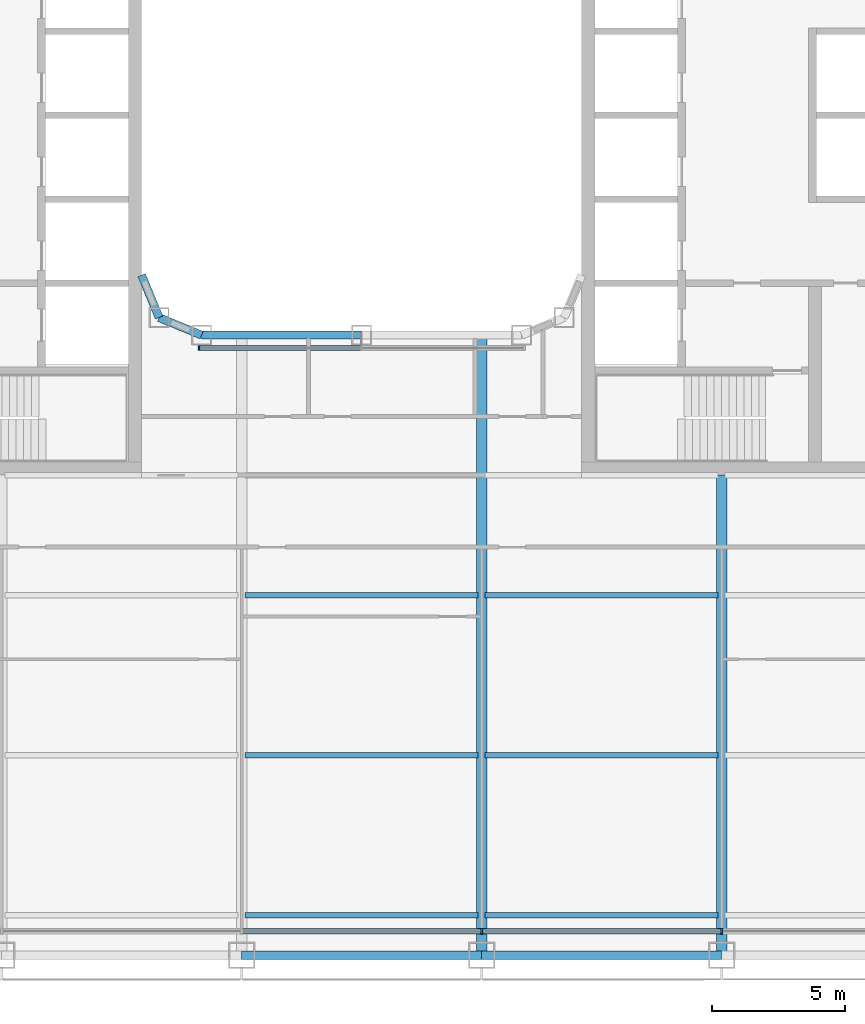
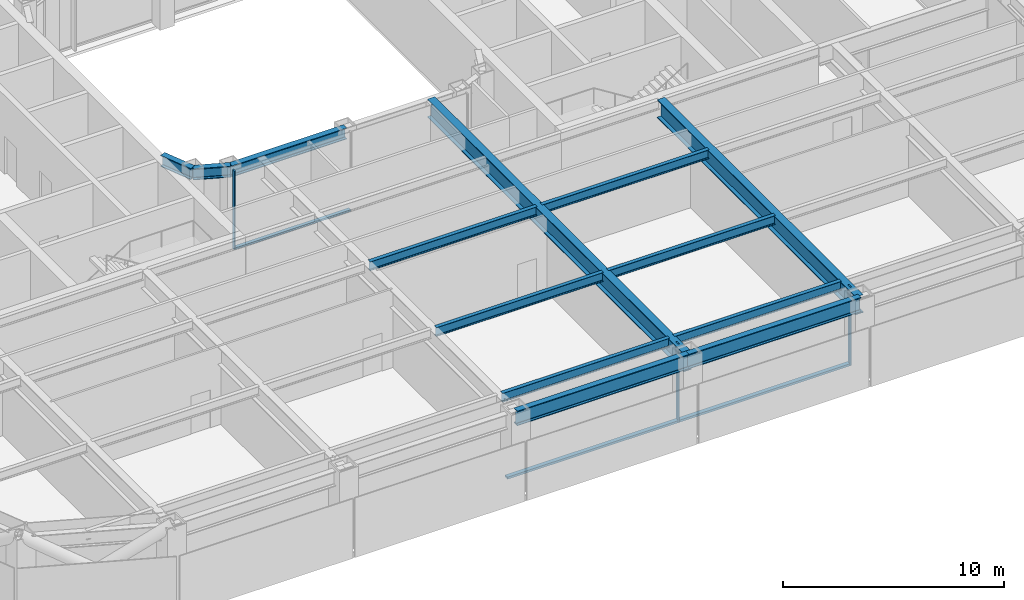
# One storey, part 3 of 29: 13 beams, 6 members, 2 elements without a shape of their own.
"""IFC4 building model written with IfcOpenShell, lengths in metres."""

from ifc_helpers import new_model, si_unit, direction, frame, origin, origin_2d, place, context, subcontext, project, spatial, rectangle, i_section, extrude, material, layer, layer_set, material_profile, profile_set, type_object, element, aggregate, save


model = new_model("IFC4")

# Units and contexts
model_context = context("Model", 3, precision=1e-05, world=origin(), true_north=direction((0.0, 1.0)))
body_context = subcontext(model_context, "Body", "Model", "MODEL_VIEW")
ifc_project = project(units=[si_unit("LENGTHUNIT", "METRE"), si_unit("AREAUNIT", "SQUARE_METRE"), si_unit("VOLUMEUNIT", "CUBIC_METRE"), si_unit("PLANEANGLEUNIT", "RADIAN"), si_unit("MASSUNIT", "GRAM", prefix="KILO")], contexts=[model_context])

# Site, building, storey
site_placement = place(None, origin())
site = spatial("IfcSite", under=ifc_project, at=site_placement, CompositionType="ELEMENT")
building_placement = place(site_placement, origin())
building = spatial("IfcBuilding", under=site, at=building_placement, Name="Siwar Civic Tower", CompositionType="ELEMENT")
storey_placement = place(building_placement, frame((0.0, 0.0, 67.199951171875)))
storey = spatial("IfcBuildingStorey", under=building, at=storey_placement, Name="L14", CompositionType="ELEMENT", Elevation=67.199951171875)

# Curtain wall, members
ifc_material_1 = material(Name="Aluminium and glass", Category="aluminium")
ifc_layer_1 = layer(ifc_material_1, 0.219970703125)
ifc_layer_set_1 = layer_set([ifc_layer_1], Name="Aluminium and glass")
curtain_wall_type_1 = type_object("IfcCurtainWallType", Name="ENV-CW-A", PredefinedType="NOTDEFINED", material=ifc_layer_set_1)
curtain_wall_1_placement = place(storey_placement, origin())
curtain_wall_1 = element("IfcCurtainWall", 1, at=curtain_wall_1_placement, inside=storey, type_object=curtain_wall_type_1, Name="Curtain wall A S", PredefinedType="NOTDEFINED")
ifc_material_2 = material(Name="Aluminium 6063-T6", Category="aluminium")
ifc_material_profile_1 = material_profile(ifc_material_2, rectangle(XDim=0.219970703125, YDim=0.070068359375, at=origin_2d()), Name="AL 220x70")
ifc_profile_set_1 = profile_set([ifc_material_profile_1], Name="Aluminium 6063-T6")
member_type_1 = type_object("IfcMemberType", Name="ENV-MULLION-A", PredefinedType="MULLION", material=ifc_profile_set_1)
member_1_placement = place(storey_placement, frame((4.5, -30.60009765625, 0.0), z_axis=(0.0, 0.0, 1.0), x_axis=(0.0, 1.0, 0.0)))
member_1 = element("IfcMember", 2, at=member_1_placement, type_object=member_type_1, Name="Mullion A S 4", PredefinedType="MULLION", context=body_context, shape_type="SweptSolid", body=[
    extrude(rectangle(XDim=0.219970703125, YDim=0.070068359375, at=origin_2d()), origin(), (0.0, 0.0, 1.0), 4.35009765625),
])
member_2_placement = place(storey_placement, frame((13.5, -30.60009765625, 0.0), z_axis=(0.0, 0.0, 1.0), x_axis=(0.0, 1.0, 0.0)))
member_2 = element("IfcMember", 3, at=member_2_placement, type_object=member_type_1, Name="Mullion A S 5", PredefinedType="MULLION", context=body_context, shape_type="SweptSolid", body=[
    extrude(rectangle(XDim=0.219970703125, YDim=0.070068359375, at=origin_2d()), origin(), (0.0, 0.0, 1.0), 4.35009765625),
])

# Curtain wall, member
ifc_material_3 = material(Name="Aluminium and glass", Category="aluminium")
ifc_layer_2 = layer(ifc_material_3, 0.179931640625)
ifc_layer_set_2 = layer_set([ifc_layer_2], Name="Aluminium and glass")
curtain_wall_type_2 = type_object("IfcCurtainWallType", Name="ENV-CW-W", PredefinedType="NOTDEFINED", material=ifc_layer_set_2)
curtain_wall_2_placement = place(storey_placement, origin())
curtain_wall_2 = element("IfcCurtainWall", 4, at=curtain_wall_2_placement, inside=storey, type_object=curtain_wall_type_2, Name="Curtain wall W WS", PredefinedType="NOTDEFINED")
ifc_material_4 = material(Name="Aluminium 6063-T6", Category="aluminium")
ifc_material_profile_2 = material_profile(ifc_material_4, rectangle(XDim=0.179931640625, YDim=0.06005859375, at=origin_2d()), Name="AL 180x60")
ifc_profile_set_2 = profile_set([ifc_material_profile_2], Name="Aluminium 6063-T6")
member_type_2 = type_object("IfcMemberType", Name="ENV-MULLION-W", PredefinedType="MULLION", material=ifc_profile_set_2)
member_3_placement = place(storey_placement, frame((-6.096435546875, -8.735107421875, 0.0), z_axis=(0.0, 0.0, 1.0), x_axis=(0.0, 1.0, 0.0)))
member_3 = element("IfcMember", 5, at=member_3_placement, type_object=member_type_2, Name="Mullion W WS 1", PredefinedType="MULLION", context=body_context, shape_type="SweptSolid", body=[
    extrude(rectangle(XDim=0.179931640625, YDim=0.06005859375, at=origin_2d()), origin(), (0.0, 0.0, 1.0), 4.35009765625),
])

# Member
ifc_material_5 = material(Name="Aluminium 6063-T6", Category="aluminium")
ifc_material_profile_3 = material_profile(ifc_material_5, rectangle(XDim=0.219970703125, YDim=0.1201171875, at=origin_2d()), Name="AL 220x120")
ifc_profile_set_3 = profile_set([ifc_material_profile_3], Name="Aluminium 6063-T6")
member_type_3 = type_object("IfcMemberType", Name="ENV-TRANSOM-A", PredefinedType="USERDEFINED", material=ifc_profile_set_3)
member_4_placement = place(storey_placement, frame((-4.465087890625, -30.60009765625, 0.06005859375), z_axis=(1.0, 0.0, 0.0), x_axis=(0.0, 1.0, 0.0)))
member_4 = element("IfcMember", 6, at=member_4_placement, type_object=member_type_3, Name="Transom A S 3", ObjectType="TRANSOM", PredefinedType="USERDEFINED", context=body_context, shape_type="SweptSolid", body=[
    extrude(rectangle(XDim=0.219970703125, YDim=0.1201171875, at=origin_2d()), origin(), (0.0, 0.0, 1.0), 8.93017578125),
])

member_5_placement = place(storey_placement, frame((4.534912109375, -30.60009765625, 0.06005859375), z_axis=(1.0, 0.0, 0.0), x_axis=(0.0, 1.0, 0.0)))
member_5 = element("IfcMember", 7, at=member_5_placement, type_object=member_type_3, Name="Transom A S 4", ObjectType="TRANSOM", PredefinedType="USERDEFINED", context=body_context, shape_type="SweptSolid", body=[
    extrude(rectangle(XDim=0.219970703125, YDim=0.1201171875, at=origin_2d()), origin(), (0.0, 0.0, 1.0), 8.93017578125),
])

aggregate(curtain_wall_1, [member_1, member_2, member_4, member_5])

ifc_material_6 = material(Name="Aluminium 6063-T6", Category="aluminium")
ifc_material_profile_4 = material_profile(ifc_material_6, rectangle(XDim=0.179931640625, YDim=0.10009765625, at=origin_2d()), Name="AL 180x100")
ifc_profile_set_4 = profile_set([ifc_material_profile_4], Name="Aluminium 6063-T6")
member_type_4 = type_object("IfcMemberType", Name="ENV-TRANSOM-W", PredefinedType="USERDEFINED", material=ifc_profile_set_4)
member_6_placement = place(storey_placement, frame((-6.06640625, -8.735107421875, 0.050048828125), z_axis=(1.0, 0.0, 0.0), x_axis=(0.0, 1.0, 0.0)))
member_6 = element("IfcMember", 8, at=member_6_placement, type_object=member_type_4, Name="Transom W WS 1", ObjectType="TRANSOM", PredefinedType="USERDEFINED", context=body_context, shape_type="SweptSolid", body=[
    extrude(rectangle(XDim=0.179931640625, YDim=0.10009765625, at=origin_2d()), origin(), (0.0, 0.0, 1.0), 6.036376953125),
])

aggregate(curtain_wall_2, [member_3, member_6])

# Beams
ifc_material_7 = material(Name="Steel S355", Category="steel")
ifc_material_profile_5 = material_profile(ifc_material_7, i_section(OverallWidth=0.199951171875, OverallDepth=0.5, WebThickness=0.01025390625, FlangeThickness=0.01611328125, FilletRadius=0.02099609375, at=origin_2d()), Name="IPE500")
ifc_profile_set_5 = profile_set([ifc_material_profile_5], Name="Steel S355")
beam_type_1 = type_object("IfcBeamType", Name="STR-FB-IPE500", PredefinedType="JOIST", material=ifc_profile_set_5)
for number, where, z_axis, x_axis, name in (
    (9, (-4.3701171875, -30.0, 4.10009765625), (1.0, 0.0, 0.0), (0.0, 1.0, 0.0), "L14/bm/F004"),
    (10, (4.6298828125, -30.0, 4.10009765625), (1.0, 0.0, 0.0), (0.0, 1.0, 0.0), "L14/bm/F005"),
    (11, (-4.3701171875, -24.0, 4.10009765625), (1.0, 0.0, 0.0), (0.0, 1.0, 0.0), "L14/bm/F011"),
    (12, (4.6298828125, -24.0, 4.10009765625), (1.0, 0.0, 0.0), (0.0, 1.0, 0.0), "L14/bm/F012"),
    (13, (-4.3701171875, -18.0, 4.10009765625), (1.0, 0.0, 0.0), (0.0, 1.0, 0.0), "L14/bm/F018"),
    (14, (4.6298828125, -18.0, 4.10009765625), (1.0, 0.0, 0.0), (0.0, 1.0, 0.0), "L14/bm/F019"),
):
    element("IfcBeam", number, at=place(storey_placement, frame(where, z_axis=z_axis, x_axis=x_axis)), inside=storey, type_object=beam_type_1, Name=name, PredefinedType="JOIST", context=body_context, shape_type="SweptSolid", body=[
        extrude(i_section(OverallWidth=0.199951171875, OverallDepth=0.5, WebThickness=0.01025390625, FlangeThickness=0.01611328125, FilletRadius=0.02099609375, at=origin_2d()), origin(), (0.0, 0.0, 1.0), 8.740234375),
    ])
ifc_material_8 = material(Name="Steel S355", Category="steel")
ifc_material_profile_6 = material_profile(ifc_material_8, i_section(OverallWidth=0.39990234375, OverallDepth=1.0, WebThickness=0.01611328125, FlangeThickness=0.0400390625, at=origin_2d()), Name="PG1000x400x16x40")
ifc_profile_set_6 = profile_set([ifc_material_profile_6], Name="Steel S355")
beam_type_2 = type_object("IfcBeamType", Name="STR-PG-PG1000x400x16x40", PredefinedType="BEAM", material=ifc_profile_set_6)
beam_1_placement = place(storey_placement, frame((4.5, -31.5, 3.85009765625), z_axis=(0.0, 1.0, 0.0), x_axis=(-1.0, 0.0, 0.0)))
element("IfcBeam", 15, at=beam_1_placement, inside=storey, type_object=beam_type_2, Name="L14/bm/G07", PredefinedType="BEAM", context=body_context, shape_type="SweptSolid", body=[
    extrude(i_section(OverallWidth=0.39990234375, OverallDepth=1.0, WebThickness=0.01611328125, FlangeThickness=0.0400390625, at=origin_2d()), origin(), (0.0, 0.0, 1.0), 23.25),
])
beam_2_placement = place(storey_placement, frame((13.5, -31.5, 3.85009765625), z_axis=(0.0, 1.0, 0.0), x_axis=(-1.0, 0.0, 0.0)))
element("IfcBeam", 16, at=beam_2_placement, inside=storey, type_object=beam_type_2, Name="L14/bm/G09", PredefinedType="BEAM", context=body_context, shape_type="SweptSolid", body=[
    extrude(i_section(OverallWidth=0.39990234375, OverallDepth=1.0, WebThickness=0.01611328125, FlangeThickness=0.0400390625, at=origin_2d()), origin(), (0.0, 0.0, 1.0), 18.0),
])
ifc_material_9 = material(Name="Steel S355", Category="steel")
ifc_material_profile_7 = material_profile(ifc_material_9, i_section(OverallWidth=0.304931640625, OverallDepth=0.6201171875, WebThickness=0.02099609375, FlangeThickness=0.0400390625, FilletRadius=0.027099609375, at=origin_2d()), Name="HEM600")
ifc_profile_set_7 = profile_set([ifc_material_profile_7], Name="Steel S355")
beam_type_3 = type_object("IfcBeamType", Name="STR-RB-HEM600", PredefinedType="BEAM", material=ifc_profile_set_7)
beam_3_placement = place(storey_placement, frame((-7.591064453125, -7.591064453125, 4.0400390625), z_axis=(0.923901072997, -0.382631424892, 0.0), x_axis=(0.382631424892, 0.923901072997, 0.0)))
element("IfcBeam", 17, at=beam_3_placement, inside=storey, type_object=beam_type_3, Name="L14/bm/RS0", PredefinedType="BEAM", context=body_context, shape_type="SweptSolid", body=[
    extrude(i_section(OverallWidth=0.304931640625, OverallDepth=0.6201171875, WebThickness=0.02099609375, FlangeThickness=0.0400390625, FilletRadius=0.027099609375, at=origin_2d()), origin(), (0.0, 0.0, 1.0), 1.72216796875),
])
beam_4_placement = place(storey_placement, frame((-6.0, -8.25, 4.0400390625), z_axis=(1.0, 0.0, 0.0), x_axis=(0.0, 1.0, 0.0)))
element("IfcBeam", 18, at=beam_4_placement, inside=storey, type_object=beam_type_3, Name="L14/bm/RS1", PredefinedType="BEAM", context=body_context, shape_type="SweptSolid", body=[
    extrude(i_section(OverallWidth=0.304931640625, OverallDepth=0.6201171875, WebThickness=0.02099609375, FlangeThickness=0.0400390625, FilletRadius=0.027099609375, at=origin_2d()), origin(), (0.0, 0.0, 1.0), 6.0),
])
beam_5_placement = place(storey_placement, frame((-7.591064453125, -7.591064453125, 4.0400390625), z_axis=(-0.382631424892, 0.923901072997, 0.0), x_axis=(-0.923901072997, -0.382631424892, 0.0)))
element("IfcBeam", 19, at=beam_5_placement, inside=storey, type_object=beam_type_3, Name="L14/bm/RSEW", PredefinedType="BEAM", context=body_context, shape_type="SweptSolid", body=[
    extrude(i_section(OverallWidth=0.304931640625, OverallDepth=0.6201171875, WebThickness=0.02099609375, FlangeThickness=0.0400390625, FilletRadius=0.027099609375, at=origin_2d()), origin(), (0.0, 0.0, 1.0), 1.72216796875),
])
ifc_material_10 = material(Name="Steel S355", Category="steel")
ifc_material_profile_8 = material_profile(ifc_material_10, i_section(OverallWidth=0.302978515625, OverallDepth=0.81396484375, WebThickness=0.02099609375, FlangeThickness=0.0400390625, FilletRadius=0.030029296875, at=origin_2d()), Name="HEM800")
ifc_profile_set_8 = profile_set([ifc_material_profile_8], Name="Steel S355")
beam_type_4 = type_object("IfcBeamType", Name="STR-SB-HEM800", PredefinedType="BEAM", material=ifc_profile_set_8)
for number, where, z_axis, x_axis, name in (
    (20, (-4.5, -31.5, 3.943115234375), (1.0, 0.0, 0.0), (0.0, 1.0, 0.0), "L14/bm/SS-2"),
    (21, (4.5, -31.5, 3.943115234375), (1.0, 0.0, 0.0), (0.0, 1.0, 0.0), "L14/bm/SS-3"),
):
    element("IfcBeam", number, at=place(storey_placement, frame(where, z_axis=z_axis, x_axis=x_axis)), inside=storey, type_object=beam_type_4, Name=name, PredefinedType="BEAM", context=body_context, shape_type="SweptSolid", body=[
        extrude(i_section(OverallWidth=0.302978515625, OverallDepth=0.81396484375, WebThickness=0.02099609375, FlangeThickness=0.0400390625, FilletRadius=0.030029296875, at=origin_2d()), origin(), (0.0, 0.0, 1.0), 9.0),
    ])

save(model, "model.ifc")
